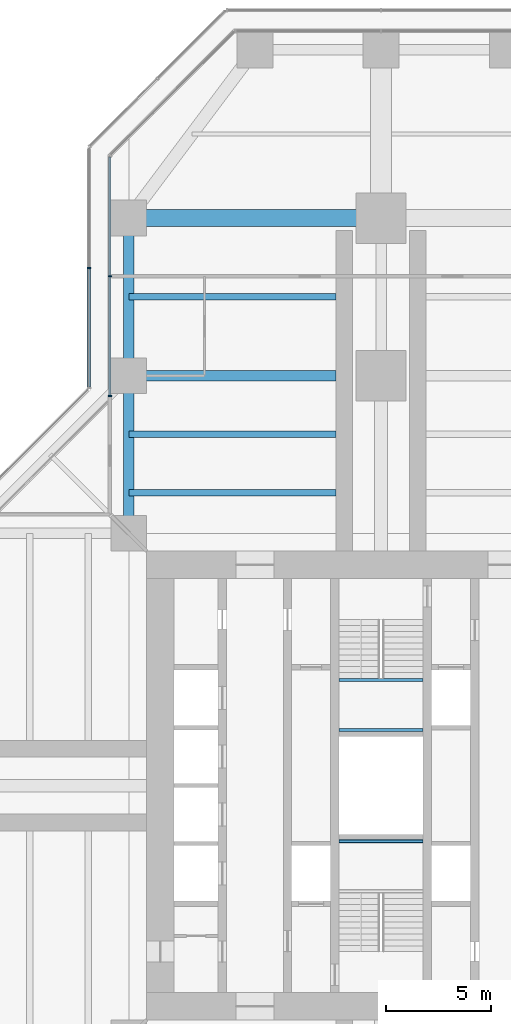
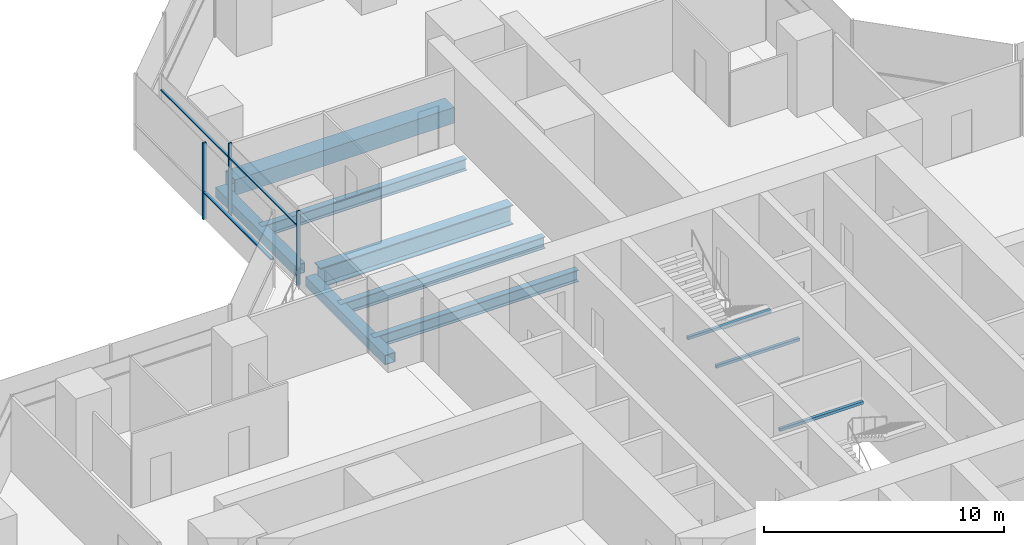
# One storey, part 9 of 22: 10 beams, 6 members, 2 elements without a shape of their own.
"""IFC4 building model written with IfcOpenShell, lengths in metres."""

import ifcopenshell
import ifcopenshell.guid

model = None  # the IFC model being written
_history = None  # IfcOwnerHistory: only IFC2X3 demands one
_inside = {}  # id of a spatial element -> (the spatial element, [elements in it])
_under = {}  # id of a project, library or spatial element -> (it, [spatial elements below it])
_declared = {}  # id of a project -> (the project, [libraries it declares])
_typed = {}  # id of a type object -> (the type object, [elements of that type])
_made_of = {}  # id of a material, layer set ... -> (it, [elements and type objects made of it])


def new_model(schema):
    """Start an empty IFC model of exactly this schema.

    Asked for "IFC4X3", IfcOpenShell would pick the latest addendum, in which some entities
    have other attributes; the version numbers below select the first issue.
    IFC2X3 requires an IfcOwnerHistory on every rooted entity: one is made here for all.
    """
    global model, _history
    if schema == "IFC4X3":
        model = ifcopenshell.file(schema_version=(4, 3, 0, 0))
    else:
        model = ifcopenshell.file(schema=schema)
    _inside.clear()
    _under.clear()
    _declared.clear()
    _typed.clear()
    _made_of.clear()
    _history = None
    if model.schema == "IFC2X3":
        org = make("IfcOrganization", Name="unknown")
        user = make(
            "IfcPersonAndOrganization",
            ThePerson=make("IfcPerson", FamilyName="unknown"),
            TheOrganization=org,
        )
        app = make(
            "IfcApplication",
            ApplicationDeveloper=org,
            Version="unknown",
            ApplicationFullName="unknown",
            ApplicationIdentifier="unknown",
        )
        _history = make(
            "IfcOwnerHistory",
            OwningUser=user,
            OwningApplication=app,
            ChangeAction="ADDED",
            CreationDate=0,
        )
    return model


def make(cls, **values):
    """One entity of the class cls with the attributes given. An attribute that is None is left unset."""
    return model.create_entity(
        cls, **{name: value for name, value in values.items() if value is not None}
    )


def rooted(cls, **values):
    """An entity with a GlobalId (a new one), such as an element, a storey or a relation."""
    return make(cls, GlobalId=ifcopenshell.guid.new(), OwnerHistory=_history, **values)


def si_unit(unit_type, name, prefix=None):
    """IfcSIUnit, for example si_unit("LENGTHUNIT", "METRE", prefix="MILLI")."""
    return make("IfcSIUnit", UnitType=unit_type, Prefix=prefix, Name=name)


def assignment(units):
    """IfcUnitAssignment: the units of a project."""
    return None if units is None else make("IfcUnitAssignment", Units=units)


def point(xyz):
    """IfcCartesianPoint."""
    return None if xyz is None else make("IfcCartesianPoint", Coordinates=xyz)


def direction(xyz):
    """IfcDirection."""
    return None if xyz is None else make("IfcDirection", DirectionRatios=xyz)


def frame(location, z_axis=None, x_axis=None):
    """IfcAxis2Placement3D, a coordinate frame: its origin and axes. An axis left out is left unset."""
    return make(
        "IfcAxis2Placement3D",
        Location=point(location),
        Axis=direction(z_axis),
        RefDirection=direction(x_axis),
    )


def frame_2d(location, x_axis=None):
    """IfcAxis2Placement2D, a coordinate frame in the plane: its origin and x axis."""
    return make(
        "IfcAxis2Placement2D", Location=point(location), RefDirection=direction(x_axis)
    )


def origin():
    """The frame at (0, 0, 0) with its axes left unset."""
    return frame((0.0, 0.0, 0.0))


def origin_2d():
    """The frame at (0, 0) in the plane with its x axis left unset."""
    return frame_2d((0.0, 0.0))


def place(relative_to, where):
    """IfcLocalPlacement: puts the frame where relative to a parent placement (None: the world)."""
    return make(
        "IfcLocalPlacement", PlacementRelTo=relative_to, RelativePlacement=where
    )


def context(
    kind, dimensions, precision=None, world=None, true_north=None, identifier=None
):
    """IfcGeometricRepresentationContext, for example the 3D "Model" context."""
    return make(
        "IfcGeometricRepresentationContext",
        ContextIdentifier=identifier,
        ContextType=kind,
        CoordinateSpaceDimension=dimensions,
        Precision=precision,
        WorldCoordinateSystem=world,
        TrueNorth=true_north,
    )


def subcontext(parent, identifier, kind, view, scale=None):
    """IfcGeometricRepresentationSubContext, for example "Body" below "Model"."""
    return make(
        "IfcGeometricRepresentationSubContext",
        ContextIdentifier=identifier,
        ContextType=kind,
        ParentContext=parent,
        TargetScale=scale,
        TargetView=view,
    )


def project(units=None, contexts=None):
    """IfcProject with its units and contexts."""
    return rooted(
        "IfcProject",
        Name="project",
        RepresentationContexts=contexts,
        UnitsInContext=assignment(units),
    )


def spatial(cls, under=None, at=None, **own):
    """A site, building, storey or space (cls), placed at a placement, below another one or the project."""
    s = rooted(cls, ObjectPlacement=at, **own)
    if under is not None:
        _under.setdefault(under.id(), (under, []))[1].append(s)
    return s


def profile(cls, at=None, kind="AREA", **sizes):
    """A parametric profile (cls). Its sizes go by their IFC names, for example OverallWidth=200.0."""
    return make(cls, ProfileType=kind, Position=at, **sizes)


def rectangle(**sizes):
    """IfcRectangleProfileDef."""
    return profile("IfcRectangleProfileDef", **sizes)


def hollow_rectangle(**sizes):
    """IfcRectangleHollowProfileDef."""
    return profile("IfcRectangleHollowProfileDef", **sizes)


def i_section(**sizes):
    """IfcIShapeProfileDef."""
    return profile("IfcIShapeProfileDef", **sizes)


def extrude(swept, where, along, depth):
    """IfcExtrudedAreaSolid: the profile swept, set in the frame where, extruded along a direction by depth."""
    return make(
        "IfcExtrudedAreaSolid",
        SweptArea=swept,
        Position=where,
        ExtrudedDirection=direction(along),
        Depth=depth,
    )


def shape(context_of_items, identifier, shape_type, items):
    """IfcShapeRepresentation: the items that make up one representation, for example the "Body"."""
    return make(
        "IfcShapeRepresentation",
        ContextOfItems=context_of_items,
        RepresentationIdentifier=identifier,
        RepresentationType=shape_type,
        Items=items,
    )


def material(Name=None, Category=None):
    """IfcMaterial."""
    return make("IfcMaterial", Name=Name, Category=Category)


def material_profile(
    of_material, cross_section, Name=None, Category=None, Priority=None
):
    """IfcMaterialProfile: a cross section and its material."""
    return make(
        "IfcMaterialProfile",
        Name=Name,
        Material=of_material,
        Profile=cross_section,
        Priority=Priority,
        Category=Category,
    )


def profile_set(profiles, Name=None, composite=None):
    """IfcMaterialProfileSet."""
    return make(
        "IfcMaterialProfileSet",
        Name=Name,
        MaterialProfiles=profiles,
        CompositeProfile=composite,
    )


def made_of(thing, what):
    """Note that an element or type object is made of a material, layer set ...; save() writes the relation."""
    if what is not None:
        _made_of.setdefault(what.id(), (what, []))[1].append(thing)
    return thing


def type_object(cls, material=None, **own):
    """A type object (cls), such as IfcWallType, which elements share."""
    return made_of(rooted(cls, **own), material)


def element(
    cls,
    number,
    at=None,
    inside=None,
    cuts=None,
    type_object=None,
    material=None,
    context=None,
    identifier="Body",
    shape_type=None,
    held_by="IfcProductDefinitionShape",
    body=None,
    shapes=None,
    **own,
):
    """One element of the class cls, such as IfcWall. Its Tag is "e" and its number.

    at: its placement. inside: the storey or other place that contains it. cuts: it is an
    opening in that element (IfcRelVoidsElement). A single representation is given by context,
    identifier, shape_type and body (its items); several are given by shapes. held_by: the class
    of the entity that holds the representations. save() writes the other relations.
    """
    e = rooted(cls, Tag="e%d" % number, ObjectPlacement=at, **own)
    if body is not None:
        shapes = [shape(context, identifier, shape_type, body)]
    if shapes is not None:
        e.Representation = make(held_by, Representations=shapes)
    if inside is not None:
        _inside.setdefault(inside.id(), (inside, []))[1].append(e)
    if cuts is not None:
        rooted(
            "IfcRelVoidsElement", RelatingBuildingElement=cuts, RelatedOpeningElement=e
        )
    if type_object is not None:
        _typed.setdefault(type_object.id(), (type_object, []))[1].append(e)
    return made_of(e, material)


def aggregate(whole, parts):
    """IfcRelAggregates: a whole, such as a stair, and the parts it consists of."""
    return rooted("IfcRelAggregates", RelatingObject=whole, RelatedObjects=parts)


def save(model, path):
    """Write the relations noted so far, then the file.

    IfcRelAggregates (storeys below a building ...), IfcRelContainedInSpatialStructure (elements
    in a storey), IfcRelDefinesByType, IfcRelAssociatesMaterial and IfcRelDeclares: one each for
    every whole, place, type object, material and project.
    """
    for whole, parts in _under.values():
        aggregate(whole, parts)
    for where, things in _inside.values():
        rooted(
            "IfcRelContainedInSpatialStructure",
            RelatedElements=things,
            RelatingStructure=where,
        )
    for kind, things in _typed.values():
        rooted("IfcRelDefinesByType", RelatedObjects=things, RelatingType=kind)
    for what, things in _made_of.values():
        rooted("IfcRelAssociatesMaterial", RelatedObjects=things, RelatingMaterial=what)
    for by, libraries in _declared.values():
        rooted("IfcRelDeclares", RelatingContext=by, RelatedDefinitions=libraries)
    model.write(path)


model = new_model("IFC4")

# Units and contexts
model_context = context("Model", 3, precision=1e-05, world=origin(), true_north=direction((0.0, 1.0)))
body_context = subcontext(model_context, "Body", "Model", "MODEL_VIEW")
ifc_project = project(units=[si_unit("LENGTHUNIT", "METRE"), si_unit("AREAUNIT", "SQUARE_METRE"), si_unit("VOLUMEUNIT", "CUBIC_METRE"), si_unit("PLANEANGLEUNIT", "RADIAN"), si_unit("MASSUNIT", "GRAM", prefix="KILO")], contexts=[model_context])

# Site, building, storey
site_placement = place(None, origin())
site = spatial("IfcSite", under=ifc_project, at=site_placement, CompositionType="ELEMENT")
building_placement = place(site_placement, origin())
building = spatial("IfcBuilding", under=site, at=building_placement, Name="Mizan Broadcast Tower", CompositionType="ELEMENT")
storey_placement = place(building_placement, frame((0.0, 0.0, 86.39990234375)))
storey = spatial("IfcBuildingStorey", under=building, at=storey_placement, Name="L18", CompositionType="ELEMENT", Elevation=86.39990234375)

# Beams
ifc_material_1 = material(Name="Steel S355", Category="steel")
ifc_material_profile_1 = material_profile(ifc_material_1, hollow_rectangle(XDim=0.5, YDim=0.5, WallThickness=0.030029296875, at=origin_2d()), Name="BOX 500x500x30")
ifc_profile_set_1 = profile_set([ifc_material_profile_1], Name="Steel S355")
beam_type_1 = type_object("IfcBeamType", Name="EDGE BEAM BOX 500x500x30", PredefinedType="SPANDREL", material=ifc_profile_set_1)
for number, where, z_axis, x_axis, name in (
    (1, (-12.0, 12.449951171875, -0.3798828125), (0.0, 1.0, 0.0), (-1.0, 0.0, 0.0), "Edge beam BOX 500x500x30 L18 north arm"),
    (2, (-12.0, 19.949951171875, -0.3798828125), (0.0, 1.0, 0.0), (-1.0, 0.0, 0.0), "Edge beam BOX 500x500x30 L18 north arm"),
):
    element("IfcBeam", number, at=place(storey_placement, frame(where, z_axis=z_axis, x_axis=x_axis)), inside=storey, type_object=beam_type_1, Name=name, PredefinedType="SPANDREL", context=body_context, shape_type="SweptSolid", body=[
        extrude(hollow_rectangle(XDim=0.5, YDim=0.5, WallThickness=0.030029296875, at=origin_2d()), origin(), (0.0, 0.0, 1.0), 6.60009765625),
    ])
ifc_material_2 = material(Name="Steel S460", Category="steel")
ifc_material_profile_2 = material_profile(ifc_material_2, hollow_rectangle(XDim=0.800048828125, YDim=0.800048828125, WallThickness=0.050048828125, at=origin_2d()), Name="BOX 800x800x50")
ifc_profile_set_2 = profile_set([ifc_material_profile_2], Name="Steel S460")
beam_type_2 = type_object("IfcBeamType", Name="GIRDER BOX 800x800x50", PredefinedType="BEAM", material=ifc_profile_set_2)
beam_1_placement = place(storey_placement, frame((-11.280029296875, 27.0, -0.52978515625), z_axis=(1.0, 0.0, 0.0), x_axis=(0.0, 1.0, 0.0)))
element("IfcBeam", 3, at=beam_1_placement, inside=storey, type_object=beam_type_2, Name="Girder BOX 800x800x50 L18 north arm", PredefinedType="BEAM", context=body_context, shape_type="SweptSolid", body=[
    extrude(hollow_rectangle(XDim=0.800048828125, YDim=0.800048828125, WallThickness=0.050048828125, at=origin_2d()), origin(), (0.0, 0.0, 1.0), 10.56005859375),
])
ifc_material_3 = material(Name="Steel S460", Category="steel")
ifc_material_profile_3 = material_profile(ifc_material_3, i_section(OverallWidth=0.5, OverallDepth=1.0, WebThickness=0.02490234375, FlangeThickness=0.050048828125, at=origin_2d()), Name="WPG 1000x500")
ifc_profile_set_3 = profile_set([ifc_material_profile_3], Name="Steel S460")
beam_type_3 = type_object("IfcBeamType", Name="GIRDER WPG 1000x500", PredefinedType="BEAM", material=ifc_profile_set_3)
beam_2_placement = place(storey_placement, frame((-11.408935546875, 19.5, -0.6298828125), z_axis=(1.0, 0.0, 0.0), x_axis=(0.0, 1.0, 0.0)))
element("IfcBeam", 4, at=beam_2_placement, inside=storey, type_object=beam_type_3, Name="Girder WPG 1000x500 L18 north arm", PredefinedType="BEAM", context=body_context, shape_type="SweptSolid", body=[
    extrude(i_section(OverallWidth=0.5, OverallDepth=1.0, WebThickness=0.02490234375, FlangeThickness=0.050048828125, at=origin_2d()), origin(), (0.0, 0.0, 1.0), 9.259033203125),
])

# Curtain wall, members
ifc_material_4 = material(Name="Aluminium framed glazing", Category="aluminium")
curtain_wall_type_1 = type_object("IfcCurtainWallType", Name="INNER SKIN LOW ZONE", PredefinedType="USERDEFINED", material=ifc_material_4)
curtain_wall_1_placement = place(storey_placement, origin())
curtain_wall_1 = element("IfcCurtainWall", 5, at=curtain_wall_1_placement, inside=storey, type_object=curtain_wall_type_1, Name="Inner skin low zone L18 N side", ObjectType="INNER SKIN LOW ZONE", PredefinedType="USERDEFINED")
ifc_material_5 = material(Name="Aluminium, pale anodised", Category="aluminium")
ifc_material_profile_4 = material_profile(ifc_material_5, rectangle(XDim=0.159912109375, YDim=0.06005859375, at=origin_2d()), Name="MULLION 160x60")
ifc_profile_set_4 = profile_set([ifc_material_profile_4], Name="Aluminium, pale anodised")
member_type_1 = type_object("IfcMemberType", Name="INNER SKIN MULLION 60x160", PredefinedType="MULLION", material=ifc_profile_set_4)
member_1_placement = place(storey_placement, frame((-12.89990234375, 24.229248046875, 0.0), z_axis=(0.0, 0.0, 1.0), x_axis=(1.0, 0.0, 0.0)))
member_1 = element("IfcMember", 6, at=member_1_placement, type_object=member_type_1, Name="Inner skin low zone L18 N side mullion 2", PredefinedType="MULLION", context=body_context, shape_type="SweptSolid", body=[
    extrude(rectangle(XDim=0.159912109375, YDim=0.06005859375, at=origin_2d()), origin(), (0.0, 0.0, 1.0), 3.77001953125),
])
member_2_placement = place(storey_placement, frame((-12.89990234375, 18.530029296875, 0.0), z_axis=(0.0, 0.0, 1.0), x_axis=(1.0, 0.0, 0.0)))
member_2 = element("IfcMember", 7, at=member_2_placement, type_object=member_type_1, Name="Inner skin low zone L18 N side mullion 3", PredefinedType="MULLION", context=body_context, shape_type="SweptSolid", body=[
    extrude(rectangle(XDim=0.159912109375, YDim=0.06005859375, at=origin_2d()), origin(), (0.0, 0.0, 1.0), 3.77001953125),
])
ifc_material_6 = material(Name="Aluminium, pale anodised", Category="aluminium")
ifc_material_profile_5 = material_profile(ifc_material_6, rectangle(XDim=0.1201171875, YDim=0.06005859375, at=origin_2d()), Name="TRANSOM 120x60")
ifc_profile_set_5 = profile_set([ifc_material_profile_5], Name="Aluminium, pale anodised")
member_type_2 = type_object("IfcMemberType", Name="INNER SKIN TRANSOM 60x120", PredefinedType="USERDEFINED", material=ifc_profile_set_5)
member_3_placement = place(storey_placement, frame((-12.89990234375, 29.898681640625, 3.030029296875), z_axis=(0.0, -1.0, 0.0), x_axis=(1.0, 0.0, 0.0)))
member_3 = element("IfcMember", 8, at=member_3_placement, type_object=member_type_2, Name="Inner skin low zone L18 N side transom 1.1", ObjectType="TRANSOM", PredefinedType="USERDEFINED", context=body_context, shape_type="SweptSolid", body=[
    extrude(rectangle(XDim=0.1201171875, YDim=0.06005859375, at=origin_2d()), origin(), (0.0, 0.0, 1.0), 5.639404296875),
])
member_4_placement = place(storey_placement, frame((-12.89990234375, 24.19921875, 3.030029296875), z_axis=(0.0, -1.0, 0.0), x_axis=(1.0, 0.0, 0.0)))
member_4 = element("IfcMember", 9, at=member_4_placement, type_object=member_type_2, Name="Inner skin low zone L18 N side transom 2.1", ObjectType="TRANSOM", PredefinedType="USERDEFINED", context=body_context, shape_type="SweptSolid", body=[
    extrude(rectangle(XDim=0.1201171875, YDim=0.06005859375, at=origin_2d()), origin(), (0.0, 0.0, 1.0), 5.63916015625),
])
aggregate(curtain_wall_1, [member_1, member_2, member_3, member_4])

# Beams
ifc_material_7 = material(Name="Steel S355", Category="steel")
ifc_material_profile_6 = material_profile(ifc_material_7, hollow_rectangle(XDim=0.14990234375, YDim=0.14990234375, WallThickness=0.008056640625, InnerFilletRadius=0.008056640625, OuterFilletRadius=0.011962890625, at=origin_2d()), Name="SHS 150x150x8")
ifc_profile_set_6 = profile_set([ifc_material_profile_6], Name="Steel S355")
beam_type_4 = type_object("IfcBeamType", Name="LANDING TRIMMER SHS 150x150x8", PredefinedType="BEAM", material=ifc_profile_set_6)
for number, where, z_axis, x_axis, name in (
    (10, (-2.0, -2.64990234375, 1.675048828125), (1.0, 0.0, 0.0), (0.0, 1.0, 0.0), "Stair A landing trimmer L18"),
    (11, (2.0, 5.02490234375, 1.675048828125), (-1.0, 0.0, 0.0), (0.0, -1.0, 0.0), "Stair B landing trimmer L18"),
    (12, (2.0, 2.64990234375, 1.675048828125), (-1.0, 0.0, 0.0), (0.0, -1.0, 0.0), "Stair B landing trimmer L18"),
):
    element("IfcBeam", number, at=place(storey_placement, frame(where, z_axis=z_axis, x_axis=x_axis)), inside=storey, type_object=beam_type_4, Name=name, PredefinedType="BEAM", context=body_context, shape_type="SweptSolid", body=[
        extrude(hollow_rectangle(XDim=0.14990234375, YDim=0.14990234375, WallThickness=0.008056640625, InnerFilletRadius=0.008056640625, OuterFilletRadius=0.011962890625, at=origin_2d()), origin(), (0.0, 0.0, 1.0), 4.0),
    ])

# Curtain wall, members
ifc_material_8 = material(Name="Aluminium framed glazing", Category="aluminium")
curtain_wall_type_2 = type_object("IfcCurtainWallType", Name="OUTER SKIN", PredefinedType="USERDEFINED", material=ifc_material_8)
curtain_wall_2_placement = place(storey_placement, origin())
curtain_wall_2 = element("IfcCurtainWall", 13, at=curtain_wall_2_placement, inside=storey, type_object=curtain_wall_type_2, Name="Outer skin L18 N side", ObjectType="OUTER SKIN", PredefinedType="USERDEFINED")
ifc_material_9 = material(Name="Aluminium, pale anodised", Category="aluminium")
ifc_material_profile_7 = material_profile(ifc_material_9, rectangle(XDim=0.159912109375, YDim=0.080078125, at=origin_2d()), Name="MULLION 160x80")
ifc_profile_set_7 = profile_set([ifc_material_profile_7], Name="Aluminium, pale anodised")
member_type_3 = type_object("IfcMemberType", Name="OUTER SKIN MULLION 80x160", PredefinedType="MULLION", material=ifc_profile_set_7)
member_5_placement = place(storey_placement, frame((-13.89990234375, 24.622802734375, 0.0), z_axis=(0.0, 0.0, 1.0), x_axis=(1.0, 0.0, 0.0)))
member_5 = element("IfcMember", 14, at=member_5_placement, type_object=member_type_3, Name="Outer skin L18 N side mullion 2", PredefinedType="MULLION", context=body_context, shape_type="SweptSolid", body=[
    extrude(rectangle(XDim=0.159912109375, YDim=0.080078125, at=origin_2d()), origin(), (0.0, 0.0, 1.0), 3.900146484375),
])
ifc_material_10 = material(Name="Aluminium, pale anodised", Category="aluminium")
ifc_material_profile_8 = material_profile(ifc_material_10, rectangle(XDim=0.159912109375, YDim=0.06005859375, at=origin_2d()), Name="TRANSOM 160x60")
ifc_profile_set_8 = profile_set([ifc_material_profile_8], Name="Aluminium, pale anodised")
member_type_4 = type_object("IfcMemberType", Name="OUTER SKIN TRANSOM 60x160", PredefinedType="USERDEFINED", material=ifc_profile_set_8)
member_6_placement = place(storey_placement, frame((-13.89990234375, 24.582763671875, 1.400146484375), z_axis=(0.0, -1.0, 0.0), x_axis=(1.0, 0.0, 0.0)))
member_6 = element("IfcMember", 15, at=member_6_placement, type_object=member_type_4, Name="Outer skin L18 N side transom 2.1", ObjectType="TRANSOM", PredefinedType="USERDEFINED", context=body_context, shape_type="SweptSolid", body=[
    extrude(rectangle(XDim=0.159912109375, YDim=0.06005859375, at=origin_2d()), origin(), (0.0, 0.0, 1.0), 5.6298828125),
])
aggregate(curtain_wall_2, [member_5, member_6])

# Beams
ifc_material_11 = material(Name="Steel S355", Category="steel")
ifc_material_profile_9 = material_profile(ifc_material_11, i_section(OverallWidth=0.300048828125, OverallDepth=0.590087890625, WebThickness=0.012939453125, FlangeThickness=0.02490234375, FilletRadius=0.027099609375, at=origin_2d()), Name="HEA 600")
ifc_profile_set_9 = profile_set([ifc_material_profile_9], Name="Steel S355")
beam_type_5 = type_object("IfcBeamType", Name="SECONDARY BEAM HEA 600", PredefinedType="JOIST", material=ifc_profile_set_9)
for number, where, z_axis, x_axis, name in (
    (16, (-12.0, 13.933349609375, -0.4248046875), (1.0, 0.0, 0.0), (0.0, 1.0, 0.0), "Secondary beam HEA 600 L18 north arm"),
    (17, (-12.0, 16.716552734375, -0.4248046875), (1.0, 0.0, 0.0), (0.0, 1.0, 0.0), "Secondary beam HEA 600 L18 north arm"),
    (18, (-12.0, 23.25, -0.4248046875), (1.0, 0.0, 0.0), (0.0, 1.0, 0.0), "Secondary beam HEA 600 L18 north arm"),
):
    element("IfcBeam", number, at=place(storey_placement, frame(where, z_axis=z_axis, x_axis=x_axis)), inside=storey, type_object=beam_type_5, Name=name, PredefinedType="JOIST", context=body_context, shape_type="SweptSolid", body=[
        extrude(i_section(OverallWidth=0.300048828125, OverallDepth=0.590087890625, WebThickness=0.012939453125, FlangeThickness=0.02490234375, FilletRadius=0.027099609375, at=origin_2d()), origin(), (0.0, 0.0, 1.0), 9.85009765625),
    ])

save(model, "model.ifc")
